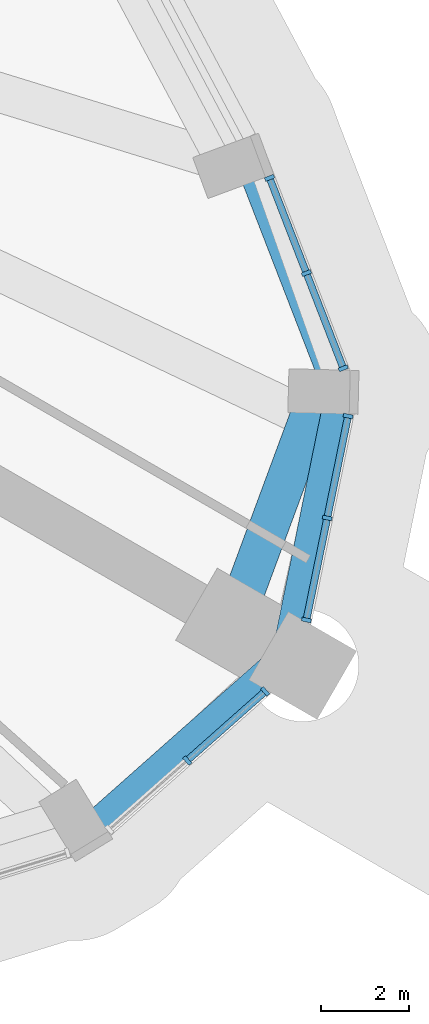
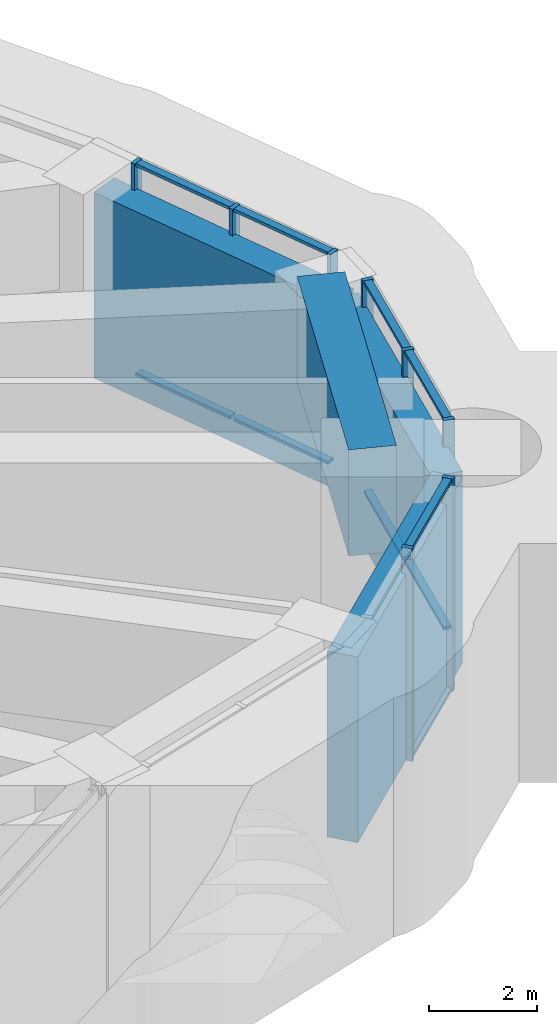
# One storey, part 6 of 21: 21 members, 1 beam, 3 elements without a shape of their own.
"""IFC4 building model written with IfcOpenShell, lengths in metres."""

from ifc_helpers import new_model, si_unit, direction, frame, origin, origin_2d, place, context, subcontext, project, spatial, rectangle, extrude, material, material_profile, profile_set, type_object, element, aggregate, save


model = new_model("IFC4")

# Units and contexts
model_context = context("Model", 3, precision=1e-05, world=origin(), true_north=direction((0.0, 1.0)))
body_context = subcontext(model_context, "Body", "Model", "MODEL_VIEW")
ifc_project = project(units=[si_unit("LENGTHUNIT", "METRE"), si_unit("AREAUNIT", "SQUARE_METRE"), si_unit("VOLUMEUNIT", "CUBIC_METRE"), si_unit("PLANEANGLEUNIT", "RADIAN"), si_unit("MASSUNIT", "GRAM", prefix="KILO")], contexts=[model_context])

# Site, building, storey
site_placement = place(None, origin())
site = spatial("IfcSite", under=ifc_project, at=site_placement, CompositionType="ELEMENT")
building_placement = place(site_placement, origin())
building = spatial("IfcBuilding", under=site, at=building_placement, Name="Entoto Arch Interchange Tower", CompositionType="ELEMENT")
storey_placement = place(building_placement, frame((0.0, 0.0, 236.0)))
storey = spatial("IfcBuildingStorey", under=building, at=storey_placement, Name="L53", CompositionType="ELEMENT", Elevation=236.0)

# Members
ifc_material_1 = material(Name="Concrete C50/60", Category="concrete")
ifc_material_profile_1 = material_profile(ifc_material_1, rectangle(XDim=0.60009765625, YDim=4.199951171875, at=origin_2d()))
ifc_profile_set_1 = profile_set([ifc_material_profile_1], Name="Concrete C50/60")
member_type_1 = type_object("IfcMemberType", Name="Belt member RC 600x4200 C50/60", PredefinedType="USERDEFINED", material=ifc_profile_set_1)
member_1_placement = place(storey_placement, frame((26.43603515625, -21.964111328125, 2.10009765625), z_axis=(0.748469352949, 0.663169380849, 0.0), x_axis=(-0.663169380849, 0.748469352949, 0.0)))
element("IfcMember", 1, at=member_1_placement, inside=storey, type_object=member_type_1, Name="Belt beam 07 L53", ObjectType="BELT BEAM", PredefinedType="USERDEFINED", context=body_context, shape_type="SweptSolid", body=[
    extrude(rectangle(XDim=0.60009765625, YDim=4.199951171875, at=origin_2d()), origin(), (0.0, 0.0, 1.0), 6.119140625),
])
member_2_placement = place(storey_placement, frame((31.01611328125, -17.906005859375, 2.10009765625), z_axis=(0.200035500227, 0.97978864999, 0.0), x_axis=(-0.97978864999, 0.200035500227, 0.0)))
element("IfcMember", 2, at=member_2_placement, inside=storey, type_object=member_type_1, Name="Belt beam 08 L53", ObjectType="BELT BEAM", PredefinedType="USERDEFINED", context=body_context, shape_type="SweptSolid", body=[
    extrude(rectangle(XDim=0.60009765625, YDim=4.199951171875, at=origin_2d()), origin(), (0.0, 0.0, 1.0), 6.0830078125),
])
member_3_placement = place(storey_placement, frame((32.23291015625, -11.946044921875, 2.10009765625), z_axis=(-0.361050742486, 0.932546171163, 0.0), x_axis=(-0.932546171163, -0.361050742486, 0.0)))
element("IfcMember", 3, at=member_3_placement, inside=storey, type_object=member_type_1, Name="Belt beam 09 L53", ObjectType="BELT BEAM", PredefinedType="USERDEFINED", context=body_context, shape_type="SweptSolid", body=[
    extrude(rectangle(XDim=0.60009765625, YDim=4.199951171875, at=origin_2d()), origin(), (0.0, 0.0, 1.0), 5.683349609375),
])

# Curtain wall, members
ifc_material_2 = material(Name="Aluminium, anodised", Category="aluminium")
curtain_wall_type = type_object("IfcCurtainWallType", Name="CURTAIN WALL SKY LOBBY", PredefinedType="NOTDEFINED", material=ifc_material_2)
curtain_wall_1_placement = place(storey_placement, origin())
curtain_wall_1 = element("IfcCurtainWall", 4, at=curtain_wall_1_placement, inside=storey, type_object=curtain_wall_type, Name="Sky Lobby glazing SE-02 L53", PredefinedType="NOTDEFINED")
ifc_material_profile_2 = material_profile(ifc_material_2, rectangle(XDim=0.219970703125, YDim=0.090087890625, at=origin_2d()))
ifc_profile_set_2 = profile_set([ifc_material_profile_2], Name="Aluminium, anodised")
member_type_2 = type_object("IfcMemberType", Name="MULLION SKY LOBBY 90x220", PredefinedType="MULLION", material=ifc_profile_set_2)
member_4_placement = place(storey_placement, frame((28.785888671875, -20.3095703125, 0.0), z_axis=(0.0, 0.0, 1.0), x_axis=(-0.663170811675, 0.748468085187, 0.0)))
member_4 = element("IfcMember", 5, at=member_4_placement, type_object=member_type_2, Name="CWS mullion 2", PredefinedType="MULLION", context=body_context, shape_type="SweptSolid", body=[
    extrude(rectangle(XDim=0.219970703125, YDim=0.090087890625, at=origin_2d()), origin(), (0.0, 0.0, 1.0), 4.800048828125),
])
member_5_placement = place(storey_placement, frame((30.564208984375, -18.73388671875, 0.0), z_axis=(0.0, 0.0, 1.0), x_axis=(-0.663170811675, 0.748468085187, 0.0)))
member_5 = element("IfcMember", 6, at=member_5_placement, type_object=member_type_2, Name="CWS mullion 3", PredefinedType="MULLION", context=body_context, shape_type="SweptSolid", body=[
    extrude(rectangle(XDim=0.219970703125, YDim=0.090087890625, at=origin_2d()), origin(), (0.0, 0.0, 1.0), 4.800048828125),
])

curtain_wall_2_placement = place(storey_placement, origin())
curtain_wall_2 = element("IfcCurtainWall", 7, at=curtain_wall_2_placement, inside=storey, type_object=curtain_wall_type, Name="Sky Lobby glazing SE-03 L53", PredefinedType="NOTDEFINED")
member_6_placement = place(storey_placement, frame((31.507080078125, -17.101806640625, 0.0), z_axis=(0.0, 0.0, 1.0), x_axis=(-0.979761913592, 0.200166412455, 0.0)))
member_6 = element("IfcMember", 8, at=member_6_placement, type_object=member_type_2, Name="CWS mullion 1", PredefinedType="MULLION", context=body_context, shape_type="SweptSolid", body=[
    extrude(rectangle(XDim=0.219970703125, YDim=0.090087890625, at=origin_2d()), origin(), (0.0, 0.0, 1.0), 4.800048828125),
])
member_7_placement = place(storey_placement, frame((31.982421875, -14.7744140625, 0.0), z_axis=(0.0, 0.0, 1.0), x_axis=(-0.979761913592, 0.200166412455, 0.0)))
member_7 = element("IfcMember", 9, at=member_7_placement, type_object=member_type_2, Name="CWS mullion 2", PredefinedType="MULLION", context=body_context, shape_type="SweptSolid", body=[
    extrude(rectangle(XDim=0.219970703125, YDim=0.090087890625, at=origin_2d()), origin(), (0.0, 0.0, 1.0), 4.800048828125),
])
member_8_placement = place(storey_placement, frame((32.4580078125, -12.447021484375, 0.0), z_axis=(0.0, 0.0, 1.0), x_axis=(-0.979761913592, 0.200166412455, 0.0)))
member_8 = element("IfcMember", 10, at=member_8_placement, type_object=member_type_2, Name="CWS mullion 3", PredefinedType="MULLION", context=body_context, shape_type="SweptSolid", body=[
    extrude(rectangle(XDim=0.219970703125, YDim=0.090087890625, at=origin_2d()), origin(), (0.0, 0.0, 1.0), 4.800048828125),
])

curtain_wall_3_placement = place(storey_placement, origin())
curtain_wall_3 = element("IfcCurtainWall", 11, at=curtain_wall_3_placement, inside=storey, type_object=curtain_wall_type, Name="Sky Lobby glazing SE-04 L53", PredefinedType="NOTDEFINED")
member_9_placement = place(storey_placement, frame((32.34765625, -11.35595703125, 0.0), z_axis=(0.0, 0.0, 1.0), x_axis=(-0.932529221964, -0.361094516966, 0.0)))
member_9 = element("IfcMember", 12, at=member_9_placement, type_object=member_type_2, Name="CWS mullion 1", PredefinedType="MULLION", context=body_context, shape_type="SweptSolid", body=[
    extrude(rectangle(XDim=0.219970703125, YDim=0.090087890625, at=origin_2d()), origin(), (0.0, 0.0, 1.0), 4.800048828125),
])
member_10_placement = place(storey_placement, frame((31.506591796875, -9.18359375, 0.0), z_axis=(0.0, 0.0, 1.0), x_axis=(-0.932529221964, -0.361094516966, 0.0)))
member_10 = element("IfcMember", 13, at=member_10_placement, type_object=member_type_2, Name="CWS mullion 2", PredefinedType="MULLION", context=body_context, shape_type="SweptSolid", body=[
    extrude(rectangle(XDim=0.219970703125, YDim=0.090087890625, at=origin_2d()), origin(), (0.0, 0.0, 1.0), 4.800048828125),
])
member_11_placement = place(storey_placement, frame((30.665283203125, -7.010986328125, 0.0), z_axis=(0.0, 0.0, 1.0), x_axis=(-0.932529221964, -0.361094516966, 0.0)))
member_11 = element("IfcMember", 14, at=member_11_placement, type_object=member_type_2, Name="CWS mullion 3", PredefinedType="MULLION", context=body_context, shape_type="SweptSolid", body=[
    extrude(rectangle(XDim=0.219970703125, YDim=0.090087890625, at=origin_2d()), origin(), (0.0, 0.0, 1.0), 4.800048828125),
])

# Member
ifc_material_profile_3 = material_profile(ifc_material_2, rectangle(XDim=0.159912109375, YDim=0.070068359375, at=origin_2d()))
ifc_profile_set_3 = profile_set([ifc_material_profile_3], Name="Aluminium, anodised")
member_type_3 = type_object("IfcMemberType", Name="TRANSOM SKY LOBBY 70x160", PredefinedType="USERDEFINED", material=ifc_profile_set_3)
member_12_placement = place(storey_placement, frame((28.819580078125, -20.279541015625, 0.034912109375), z_axis=(0.74848669237, 0.663149810635, 0.0), x_axis=(-0.663149810635, 0.74848669237, 0.0)))
member_12 = element("IfcMember", 15, at=member_12_placement, type_object=member_type_3, Name="CWS transom 2.1", ObjectType="TRANSOM", PredefinedType="USERDEFINED", context=body_context, shape_type="SweptSolid", body=[
    extrude(rectangle(XDim=0.159912109375, YDim=0.070068359375, at=origin_2d()), origin(), (0.0, 0.0, 1.0), 2.285888671875),
])

member_13_placement = place(storey_placement, frame((28.819580078125, -20.279541015625, 4.764892578125), z_axis=(0.74848669237, 0.663149810635, 0.0), x_axis=(-0.663149810635, 0.74848669237, 0.0)))
member_13 = element("IfcMember", 16, at=member_13_placement, type_object=member_type_3, Name="CWS transom 2.2", ObjectType="TRANSOM", PredefinedType="USERDEFINED", context=body_context, shape_type="SweptSolid", body=[
    extrude(rectangle(XDim=0.159912109375, YDim=0.070068359375, at=origin_2d()), origin(), (0.0, 0.0, 1.0), 2.285888671875),
])

aggregate(curtain_wall_1, [member_4, member_5, member_12, member_13])

member_14_placement = place(storey_placement, frame((31.51611328125, -17.057861328125, 0.034912109375), z_axis=(0.200079305348, 0.979779705634, 0.0), x_axis=(-0.979779705634, 0.200079305348, 0.0)))
member_14 = element("IfcMember", 17, at=member_14_placement, type_object=member_type_3, Name="CWS transom 1.1", ObjectType="TRANSOM", PredefinedType="USERDEFINED", context=body_context, shape_type="SweptSolid", body=[
    extrude(rectangle(XDim=0.159912109375, YDim=0.070068359375, at=origin_2d()), origin(), (0.0, 0.0, 1.0), 2.285400390625),
])

member_15_placement = place(storey_placement, frame((31.51611328125, -17.057861328125, 4.764892578125), z_axis=(0.200079305348, 0.979779705634, 0.0), x_axis=(-0.979779705634, 0.200079305348, 0.0)))
member_15 = element("IfcMember", 18, at=member_15_placement, type_object=member_type_3, Name="CWS transom 1.2", ObjectType="TRANSOM", PredefinedType="USERDEFINED", context=body_context, shape_type="SweptSolid", body=[
    extrude(rectangle(XDim=0.159912109375, YDim=0.070068359375, at=origin_2d()), origin(), (0.0, 0.0, 1.0), 2.285400390625),
])

member_16_placement = place(storey_placement, frame((31.991455078125, -14.73046875, 0.034912109375), z_axis=(0.200181848662, 0.979758759831, 0.0), x_axis=(-0.979758759831, 0.200181848662, 0.0)))
member_16 = element("IfcMember", 19, at=member_16_placement, type_object=member_type_3, Name="CWS transom 2.1", ObjectType="TRANSOM", PredefinedType="USERDEFINED", context=body_context, shape_type="SweptSolid", body=[
    extrude(rectangle(XDim=0.159912109375, YDim=0.070068359375, at=origin_2d()), origin(), (0.0, 0.0, 1.0), 2.285400390625),
])

member_17_placement = place(storey_placement, frame((31.991455078125, -14.73046875, 4.764892578125), z_axis=(0.200181848662, 0.979758759831, 0.0), x_axis=(-0.979758759831, 0.200181848662, 0.0)))
member_17 = element("IfcMember", 20, at=member_17_placement, type_object=member_type_3, Name="CWS transom 2.2", ObjectType="TRANSOM", PredefinedType="USERDEFINED", context=body_context, shape_type="SweptSolid", body=[
    extrude(rectangle(XDim=0.159912109375, YDim=0.070068359375, at=origin_2d()), origin(), (0.0, 0.0, 1.0), 2.285400390625),
])

aggregate(curtain_wall_2, [member_6, member_7, member_8, member_14, member_15, member_16, member_17])

member_18_placement = place(storey_placement, frame((32.33154296875, -11.31396484375, 0.034912109375), z_axis=(-0.361125592596, 0.932517188245, 0.0), x_axis=(-0.932517188245, -0.361125592596, 0.0)))
member_18 = element("IfcMember", 21, at=member_18_placement, type_object=member_type_3, Name="CWS transom 1.1", ObjectType="TRANSOM", PredefinedType="USERDEFINED", context=body_context, shape_type="SweptSolid", body=[
    extrude(rectangle(XDim=0.159912109375, YDim=0.070068359375, at=origin_2d()), origin(), (0.0, 0.0, 1.0), 2.23974609375),
])

member_19_placement = place(storey_placement, frame((32.33154296875, -11.31396484375, 4.764892578125), z_axis=(-0.361125592596, 0.932517188245, 0.0), x_axis=(-0.932517188245, -0.361125592596, 0.0)))
member_19 = element("IfcMember", 22, at=member_19_placement, type_object=member_type_3, Name="CWS transom 1.2", ObjectType="TRANSOM", PredefinedType="USERDEFINED", context=body_context, shape_type="SweptSolid", body=[
    extrude(rectangle(XDim=0.159912109375, YDim=0.070068359375, at=origin_2d()), origin(), (0.0, 0.0, 1.0), 2.23974609375),
])

member_20_placement = place(storey_placement, frame((31.490234375, -9.1416015625, 0.034912109375), z_axis=(-0.361125592596, 0.932517188245, 0.0), x_axis=(-0.932517188245, -0.361125592596, 0.0)))
member_20 = element("IfcMember", 23, at=member_20_placement, type_object=member_type_3, Name="CWS transom 2.1", ObjectType="TRANSOM", PredefinedType="USERDEFINED", context=body_context, shape_type="SweptSolid", body=[
    extrude(rectangle(XDim=0.159912109375, YDim=0.070068359375, at=origin_2d()), origin(), (0.0, 0.0, 1.0), 2.23974609375),
])

member_21_placement = place(storey_placement, frame((31.490234375, -9.1416015625, 4.764892578125), z_axis=(-0.361125592596, 0.932517188245, 0.0), x_axis=(-0.932517188245, -0.361125592596, 0.0)))
member_21 = element("IfcMember", 24, at=member_21_placement, type_object=member_type_3, Name="CWS transom 2.2", ObjectType="TRANSOM", PredefinedType="USERDEFINED", context=body_context, shape_type="SweptSolid", body=[
    extrude(rectangle(XDim=0.159912109375, YDim=0.070068359375, at=origin_2d()), origin(), (0.0, 0.0, 1.0), 2.23974609375),
])

aggregate(curtain_wall_3, [member_9, member_10, member_11, member_18, member_19, member_20, member_21])

# Beam
ifc_material_profile_4 = material_profile(ifc_material_1, rectangle(XDim=0.89990234375, YDim=2.39990234375, at=origin_2d()))
ifc_profile_set_4 = profile_set([ifc_material_profile_4], Name="Concrete C50/60")
beam_type = type_object("IfcBeamType", Name="Transfer beam RC 900x2400 C50/60", PredefinedType="BEAM", material=ifc_profile_set_4)
beam_placement = place(storey_placement, frame((29.820068359375, -17.216064453125, 3.60009765625), z_axis=(0.347374497514, 0.937726483831, 0.0), x_axis=(-0.937726483831, 0.347374497514, 0.0)))
element("IfcBeam", 25, at=beam_placement, inside=storey, type_object=beam_type, Name="Transfer girder SE3 L53", PredefinedType="BEAM", context=body_context, shape_type="SweptSolid", body=[
    extrude(rectangle(XDim=0.89990234375, YDim=2.39990234375, at=origin_2d()), origin(), (0.0, 0.0, 1.0), 5.68505859375),
])

save(model, "model.ifc")
